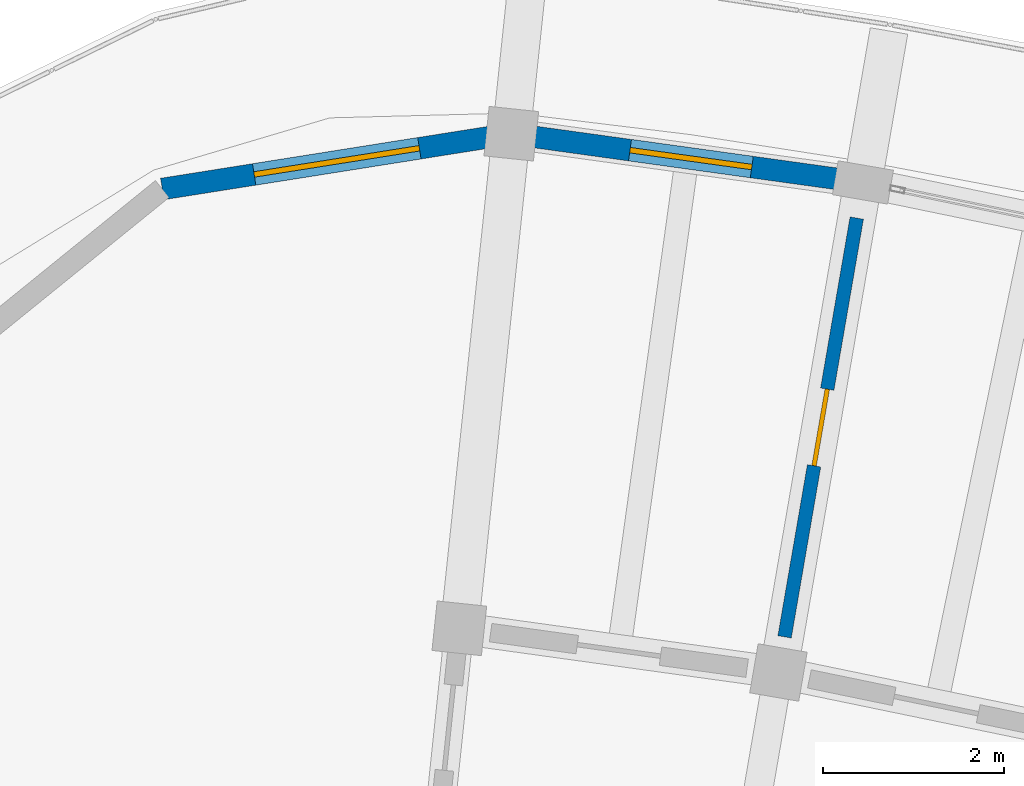
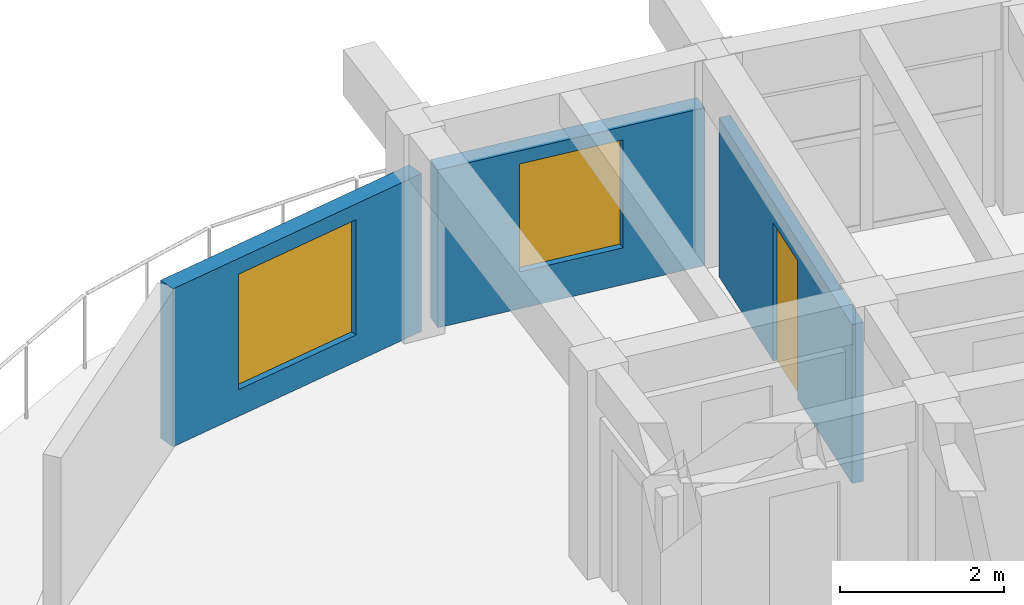
# One storey, part 51 of 81: 3 walls, 2 windows, 1 door, 3 openings.
"""IFC4 building model written with IfcOpenShell, lengths in metres."""

from ifc_helpers import new_model, si_unit, direction, frame, frame_2d, origin, place, context, subcontext, project, spatial, rectangle, extrude, material, layer, layer_set, type_object, element, fill, save


model = new_model("IFC4")

# Units and contexts
model_context = context("Model", 3, precision=1e-05, world=origin(), true_north=direction((0.0, 1.0)))
body_context = subcontext(model_context, "Body", "Model", "MODEL_VIEW")
ifc_project = project(units=[si_unit("LENGTHUNIT", "METRE"), si_unit("AREAUNIT", "SQUARE_METRE"), si_unit("VOLUMEUNIT", "CUBIC_METRE"), si_unit("PLANEANGLEUNIT", "RADIAN"), si_unit("MASSUNIT", "GRAM", prefix="KILO")], contexts=[model_context])

# Site, building, storey
site_placement = place(None, origin())
site = spatial("IfcSite", under=ifc_project, at=site_placement, CompositionType="ELEMENT")
building_placement = place(site_placement, origin())
building = spatial("IfcBuilding", under=site, at=building_placement, Name="Tanwirah Colonnade Gardens", CompositionType="ELEMENT")
storey_placement = place(building_placement, frame((0.0, 0.0, 18.919921875)))
storey = spatial("IfcBuildingStorey", under=building, at=storey_placement, Name="L05", CompositionType="ELEMENT", Elevation=18.919921875)

# Wall, opening, window
ifc_material_1 = material(Name="Limestone architectural precast concrete C40/50", Category="masonry")
ifc_layer_1 = layer(ifc_material_1, 0.239990234375)
ifc_layer_set_1 = layer_set([ifc_layer_1], Name="Limestone architectural precast concrete C40/50")
wall_type_1 = type_object("IfcWallType", Name="EW-PC240", PredefinedType="SOLIDWALL", material=ifc_layer_set_1)
wall_1_placement = place(storey_placement, frame((130.954833984375, 118.906982421875, 0.0), z_axis=(0.0, 0.0, 1.0), x_axis=(-0.990539718913, 0.137226328578, 0.0)))
wall_1 = element("IfcWall", 1, at=wall_1_placement, inside=storey, type_object=wall_type_1, Name="Block B L05 OUT Precast Facade Wall 17", PredefinedType="SOLIDWALL", context=body_context, shape_type="SweptSolid", body=[
    extrude(rectangle(XDim=3.520751953125, YDim=0.239990234375, at=frame_2d((1.76025390625, 0.0))), origin(), (0.0, 0.0, 1.0), 2.35498046875),
])
opening_1_placement = place(wall_1_placement, frame((1.080322265625, 0.0, 0.550048828125)))
opening_1 = element("IfcOpeningElement", 2, at=opening_1_placement, cuts=wall_1, Name="Opening WIN-U06", PredefinedType="OPENING", context=body_context, shape_type="SweptSolid", body=[
    extrude(rectangle(XDim=1.360107421875, YDim=1.610107421875, at=frame_2d((0.68017578125, 0.80517578125))), frame((0.0, 0.1298828125, 0.0), z_axis=(0.0, -1.0, 0.0), x_axis=(1.0, 0.0, 0.0)), (0.0, 0.0, 1.0), 0.260009765625),
])
ifc_material_2 = material(Name="Thermally broken bronze aluminium and solar low-E double glazing", Category="aluminium")
window_type_1 = type_object("IfcWindowType", Name="WIN-U06", PartitioningType="DOUBLE_PANEL_VERTICAL", PredefinedType="WINDOW", material=ifc_material_2)
window_1_placement = place(opening_1_placement, origin())
window_1 = element("IfcWindow", 3, at=window_1_placement, inside=storey, type_object=window_type_1, Name="Facade window B-L05-OUT-17", OverallHeight=1.610107421875, OverallWidth=1.360107421875, PartitioningType="SINGLE_PANEL", PredefinedType="WINDOW", context=body_context, shape_type="SweptSolid", body=[
    extrude(rectangle(XDim=1.360107421875, YDim=1.610107421875, at=frame_2d((0.68017578125, 0.80517578125))), frame((0.0, 0.030029296875, 0.0), z_axis=(0.0, -1.0, 0.0), x_axis=(1.0, 0.0, 0.0)), (0.0, 0.0, 1.0), 0.06005859375),
])
fill(opening_1, window_1)

wall_2_placement = place(storey_placement, frame((123.364501953125, 118.8125, 0.0), z_axis=(0.0, 0.0, 1.0), x_axis=(0.987690429048, 0.156421278498, 0.0)))
wall_2 = element("IfcWall", 4, at=wall_2_placement, inside=storey, type_object=wall_type_1, Name="Block B L05 END Rounded End Wall 5", PredefinedType="SOLIDWALL", context=body_context, shape_type="SweptSolid", body=[
    extrude(rectangle(XDim=3.908203125, YDim=0.239990234375, at=frame_2d((1.9541015625, 0.0))), origin(), (0.0, 0.0, 1.0), 2.35498046875),
])
opening_2_placement = place(wall_2_placement, frame((1.029052734375, 0.0, 0.39990234375)))
opening_2 = element("IfcOpeningElement", 5, at=opening_2_placement, cuts=wall_2, Name="Opening WIN-END1", PredefinedType="OPENING", context=body_context, shape_type="SweptSolid", body=[
    extrude(rectangle(XDim=1.85009765625, YDim=1.719970703125, at=frame_2d((0.925048828125, 0.85986328125))), frame((0.0, 0.1298828125, 0.0), z_axis=(0.0, -1.0, 0.0), x_axis=(1.0, 0.0, 0.0)), (0.0, 0.0, 1.0), 0.260009765625),
])
window_type_2 = type_object("IfcWindowType", Name="WIN-END1", PartitioningType="TRIPLE_PANEL_VERTICAL", PredefinedType="WINDOW", material=ifc_material_2)
window_2_placement = place(opening_2_placement, origin())
window_2 = element("IfcWindow", 6, at=window_2_placement, inside=storey, type_object=window_type_2, Name="Rounded corner window B-L05-END-5", OverallHeight=1.719970703125, OverallWidth=1.85009765625, PartitioningType="SINGLE_PANEL", PredefinedType="WINDOW", context=body_context, shape_type="SweptSolid", body=[
    extrude(rectangle(XDim=1.85009765625, YDim=1.719970703125, at=frame_2d((0.925048828125, 0.85986328125))), frame((0.0, 0.030029296875, 0.0), z_axis=(0.0, -1.0, 0.0), x_axis=(1.0, 0.0, 0.0)), (0.0, 0.0, 1.0), 0.06005859375),
])
fill(opening_2, window_2)

# Wall, opening, door
ifc_material_3 = material(Name="Water-resistant acoustic plumbing partition")
ifc_layer_2 = layer(ifc_material_3, 0.14990234375)
ifc_layer_set_2 = layer_set([ifc_layer_2], Name="Water-resistant acoustic plumbing partition")
wall_type_2 = type_object("IfcWallType", Name="IW-WET150", PredefinedType="PLUMBINGWALL", material=ifc_layer_set_2)
wall_3_placement = place(storey_placement, frame((130.2470703125, 113.859130859375, 0.0), z_axis=(0.0, 0.0, 1.0), x_axis=(0.169812980219, 0.985476307046, 0.0)))
wall_3 = element("IfcWall", 7, at=wall_3_placement, inside=storey, type_object=wall_type_2, Name="Block B L05 Radial Partition 16", PredefinedType="PLUMBINGWALL", context=body_context, shape_type="SweptSolid", body=[
    extrude(rectangle(XDim=4.699951171875, YDim=0.14990234375, at=frame_2d((2.35009765625, 0.0))), origin(), (0.0, 0.0, 1.0), 2.3701171875),
])
opening_3_placement = place(wall_3_placement, frame((1.919921875, 0.0, 0.0)))
opening_3 = element("IfcOpeningElement", 8, at=opening_3_placement, cuts=wall_3, Name="Opening L05-RD1038", PredefinedType="OPENING", context=body_context, shape_type="SweptSolid", body=[
    extrude(rectangle(XDim=0.860107421875, YDim=2.06005859375, at=frame_2d((0.43017578125, 1.030029296875))), frame((0.0, 0.0849609375, 0.0), z_axis=(0.0, -1.0, 0.0), x_axis=(1.0, 0.0, 0.0)), (0.0, 0.0, 1.0), 0.169921875),
])
ifc_material_4 = material(Name="Moisture-resistant bathroom door")
door_type = type_object("IfcDoorType", Name="ID-WET086", OperationType="NOTDEFINED", PredefinedType="DOOR", material=ifc_material_4)
door_placement = place(opening_3_placement, origin())
door = element("IfcDoor", 9, at=door_placement, inside=storey, type_object=door_type, Name="Internal apartment door L05-RD1038", OperationType="SINGLE_SWING_RIGHT", OverallHeight=2.06005859375, OverallWidth=0.860107421875, PredefinedType="DOOR", context=body_context, shape_type="SweptSolid", body=[
    extrude(rectangle(XDim=0.860107421875, YDim=2.06005859375, at=frame_2d((0.43017578125, 1.030029296875))), frame((0.0, 0.02490234375, 0.0), z_axis=(0.0, -1.0, 0.0), x_axis=(1.0, 0.0, 0.0)), (0.0, 0.0, 1.0), 0.050048828125),
])
fill(opening_3, door)

save(model, "model.ifc")
